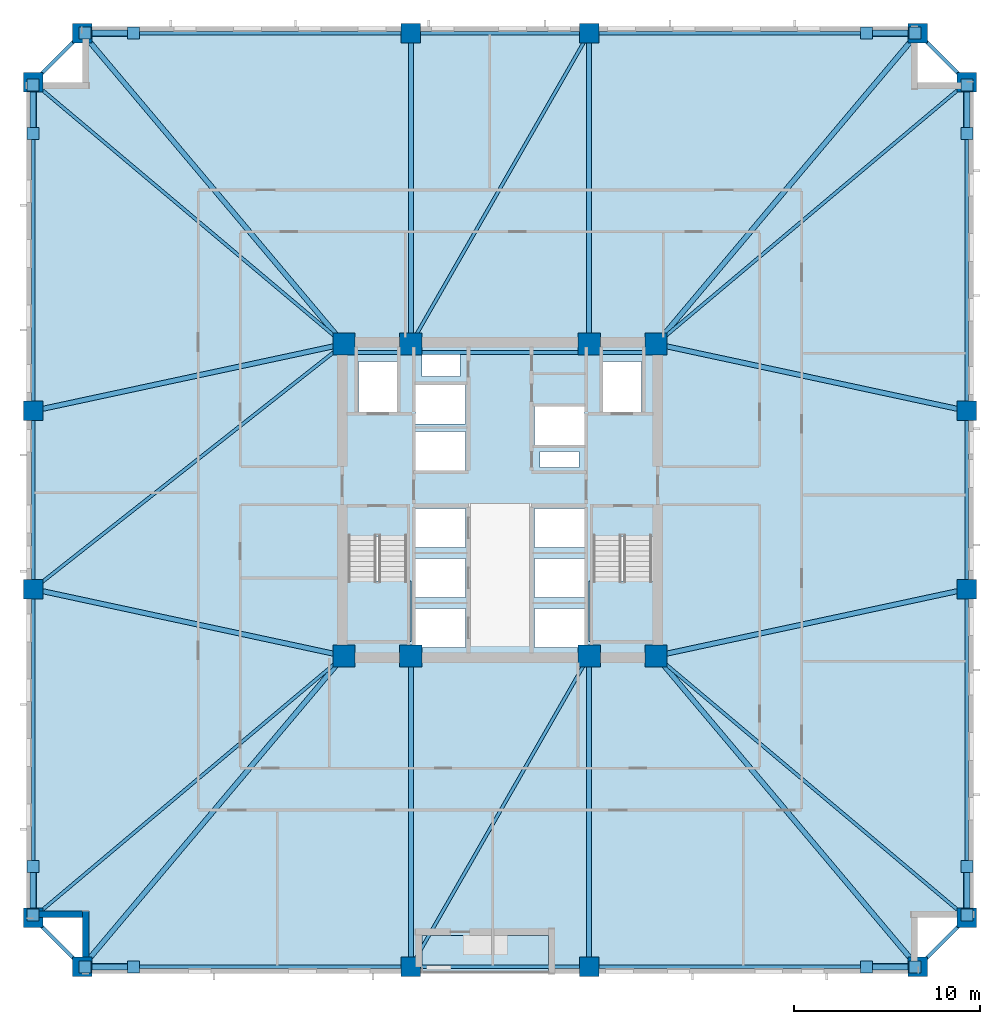
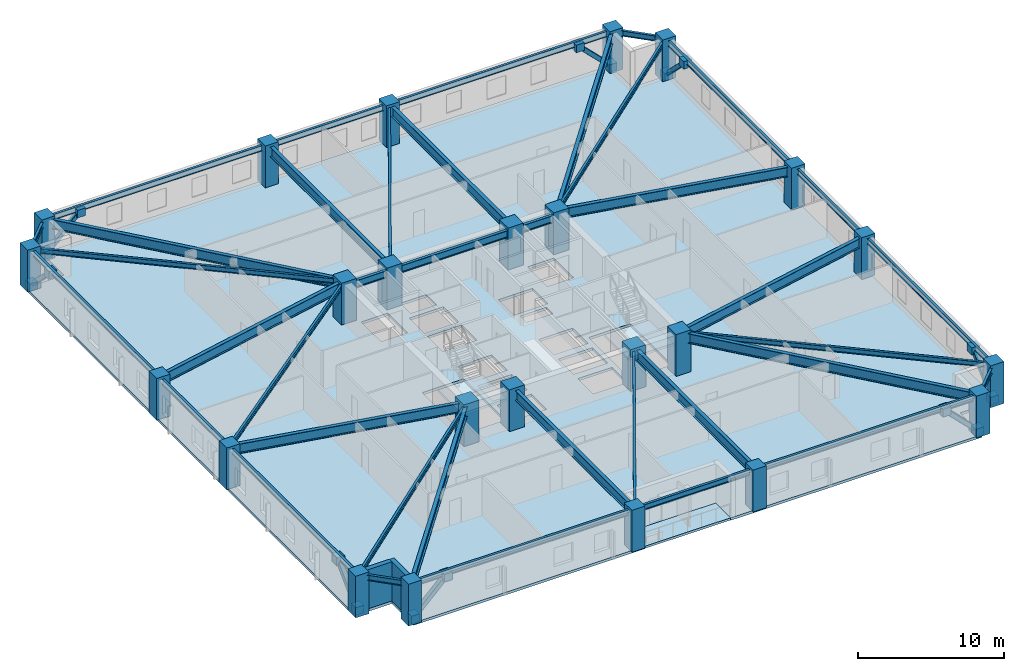
# One storey, part 1 of 11: 38 beams, 24 columns, 16 plates, 8 members, 4 slabs, 2 walls, 2 elements without a shape of their own.
"""IFC4 building model written with IfcOpenShell, lengths in metres."""

from ifc_helpers import new_model, si_unit, direction, frame, frame_2d, origin, origin_2d, place, context, subcontext, project, spatial, polyline, rectangle, hollow_rectangle, i_section, outline, extrude, material, layer, layer_set, material_profile, profile_set, type_object, element, aggregate, save


model = new_model("IFC4")

# Units and contexts
model_context = context("Model", 3, precision=1e-05, world=origin(), true_north=direction((0.0, 1.0)))
body_context = subcontext(model_context, "Body", "Model", "MODEL_VIEW")
ifc_project = project(units=[si_unit("LENGTHUNIT", "METRE"), si_unit("AREAUNIT", "SQUARE_METRE"), si_unit("VOLUMEUNIT", "CUBIC_METRE"), si_unit("PLANEANGLEUNIT", "RADIAN"), si_unit("MASSUNIT", "GRAM", prefix="KILO")], contexts=[model_context])

# Site, building, storey
site_placement = place(None, origin())
site = spatial("IfcSite", under=ifc_project, at=site_placement, CompositionType="ELEMENT")
building_placement = place(site_placement, origin())
building = spatial("IfcBuilding", under=site, at=building_placement, Name="Cairnveth Concourse Tower", CompositionType="ELEMENT")
storey_placement = place(building_placement, frame((0.0, 0.0, 34.0)))
storey = spatial("IfcBuildingStorey", under=building, at=storey_placement, Name="L08", CompositionType="ELEMENT", Elevation=34.0)

# Columns
ifc_material_1 = material(Name="Concrete N80 (80 MPa)", Category="concrete")
ifc_material_profile_1 = material_profile(ifc_material_1, rectangle(XDim=1.199951171875, YDim=1.199951171875, at=origin_2d()), Name="RC-COL-1200x1200")
ifc_profile_set_1 = profile_set([ifc_material_profile_1], Name="Concrete N80 (80 MPa)")
column_type_1 = type_object("IfcColumnType", Name="CORE COLUMN 1200X1200", PredefinedType="COLUMN", material=ifc_profile_set_1)
for number, where, z_axis, x_axis, name in (
    (1, (43.60009765625, 30.60009765625, 0.0), (0.0, 0.0, 1.0), (1.0, 0.0, 0.0), "Column CC1 L08"),
    (2, (47.199951171875, 30.60009765625, 0.0), (0.0, 0.0, 1.0), (1.0, 0.0, 0.0), "Column CC2 L08"),
    (3, (56.800048828125, 30.60009765625, 0.0), (0.0, 0.0, 1.0), (1.0, 0.0, 0.0), "Column CC3 L08"),
    (4, (60.39990234375, 30.60009765625, 0.0), (0.0, 0.0, 1.0), (1.0, 0.0, 0.0), "Column CC4 L08"),
    (5, (43.60009765625, 47.39990234375, 0.0), (0.0, 0.0, 1.0), (1.0, 0.0, 0.0), "Column CC5 L08"),
    (6, (47.199951171875, 47.39990234375, 0.0), (0.0, 0.0, 1.0), (1.0, 0.0, 0.0), "Column CC6 L08"),
    (7, (56.800048828125, 47.39990234375, 0.0), (0.0, 0.0, 1.0), (1.0, 0.0, 0.0), "Column CC7 L08"),
    (8, (60.39990234375, 47.39990234375, 0.0), (0.0, 0.0, 1.0), (1.0, 0.0, 0.0), "Column CC8 L08"),
):
    element("IfcColumn", number, at=place(storey_placement, frame(where, z_axis=z_axis, x_axis=x_axis)), inside=storey, type_object=column_type_1, Name=name, PredefinedType="COLUMN", context=body_context, shape_type="SweptSolid", body=[
        extrude(rectangle(XDim=1.199951171875, YDim=1.199951171875, at=origin_2d()), origin(), (0.0, 0.0, 1.0), 3.5),
    ])
ifc_material_2 = material(Name="Concrete N65 (65 MPa)", Category="concrete")
ifc_material_profile_2 = material_profile(ifc_material_2, rectangle(XDim=1.050048828125, YDim=1.050048828125, at=origin_2d()), Name="RC-COL-1050x1050")
ifc_profile_set_2 = profile_set([ifc_material_profile_2], Name="Concrete N65 (65 MPa)")
column_type_2 = type_object("IfcColumnType", Name="PERIMETER PIER COLUMN 1050X1050", PredefinedType="COLUMN", material=ifc_profile_set_2)
for number, where, z_axis, x_axis, name in (
    (9, (29.5, 13.85009765625, 0.0), (0.0, 0.0, 1.0), (1.0, 0.0, 0.0), "Column P-S1 L08"),
    (10, (47.199951171875, 13.85009765625, 0.0), (0.0, 0.0, 1.0), (1.0, 0.0, 0.0), "Column P-S2 L08"),
    (11, (56.800048828125, 13.85009765625, 0.0), (0.0, 0.0, 1.0), (1.0, 0.0, 0.0), "Column P-S3 L08"),
    (12, (74.5, 13.85009765625, 0.0), (0.0, 0.0, 1.0), (1.0, 0.0, 0.0), "Column P-S4 L08"),
    (13, (77.14990234375, 16.5, 0.0), (0.0, 0.0, 1.0), (0.0, 1.0, 0.0), "Column P-E1 L08"),
    (14, (77.14990234375, 34.199951171875, 0.0), (0.0, 0.0, 1.0), (0.0, 1.0, 0.0), "Column P-E2 L08"),
    (15, (77.14990234375, 43.800048828125, 0.0), (0.0, 0.0, 1.0), (0.0, 1.0, 0.0), "Column P-E3 L08"),
    (16, (77.14990234375, 61.5, 0.0), (0.0, 0.0, 1.0), (0.0, 1.0, 0.0), "Column P-E4 L08"),
    (17, (74.5, 64.14990234375, 0.0), (0.0, 0.0, 1.0), (1.0, 0.0, 0.0), "Column P-N1 L08"),
    (18, (56.800048828125, 64.14990234375, 0.0), (0.0, 0.0, 1.0), (1.0, 0.0, 0.0), "Column P-N2 L08"),
    (19, (47.199951171875, 64.14990234375, 0.0), (0.0, 0.0, 1.0), (1.0, 0.0, 0.0), "Column P-N3 L08"),
    (20, (29.5, 64.14990234375, 0.0), (0.0, 0.0, 1.0), (1.0, 0.0, 0.0), "Column P-N4 L08"),
    (21, (26.85009765625, 61.5, 0.0), (0.0, 0.0, 1.0), (0.0, 1.0, 0.0), "Column P-W1 L08"),
    (22, (26.85009765625, 43.800048828125, 0.0), (0.0, 0.0, 1.0), (0.0, 1.0, 0.0), "Column P-W2 L08"),
    (23, (26.85009765625, 34.199951171875, 0.0), (0.0, 0.0, 1.0), (0.0, 1.0, 0.0), "Column P-W3 L08"),
    (24, (26.85009765625, 16.5, 0.0), (0.0, 0.0, 1.0), (0.0, 1.0, 0.0), "Column P-W4 L08"),
):
    element("IfcColumn", number, at=place(storey_placement, frame(where, z_axis=z_axis, x_axis=x_axis)), inside=storey, type_object=column_type_2, Name=name, PredefinedType="COLUMN", context=body_context, shape_type="SweptSolid", body=[
        extrude(rectangle(XDim=1.050048828125, YDim=1.050048828125, at=origin_2d()), origin(), (0.0, 0.0, 1.0), 3.5),
    ])

# Beams
ifc_material_3 = material(Name="Steel Grade 350", Category="steel")
ifc_material_profile_3 = material_profile(ifc_material_3, i_section(OverallWidth=0.22802734375, OverallDepth=0.60693359375, WebThickness=0.01123046875, FlangeThickness=0.017333984375, FilletRadius=0.013916015625, at=origin_2d()), Name="610UB113")
ifc_profile_set_3 = profile_set([ifc_material_profile_3], Name="Steel Grade 350")
beam_type_1 = type_object("IfcBeamType", Name="CORE TIE BEAM 610UB113", PredefinedType="T_BEAM", material=ifc_profile_set_3)
for number, where, z_axis, x_axis, name in (
    (25, (43.60009765625, 46.949951171875, 2.9765625), (1.0, 0.0, 0.0), (0.0, 1.0, 0.0), "Beam CT-N1 L08"),
    (26, (56.800048828125, 46.949951171875, 2.9765625), (1.0, 0.0, 0.0), (0.0, 1.0, 0.0), "Beam CT-N3 L08"),
):
    element("IfcBeam", number, at=place(storey_placement, frame(where, z_axis=z_axis, x_axis=x_axis)), inside=storey, type_object=beam_type_1, Name=name, PredefinedType="T_BEAM", context=body_context, shape_type="SweptSolid", body=[
        extrude(i_section(OverallWidth=0.22802734375, OverallDepth=0.60693359375, WebThickness=0.01123046875, FlangeThickness=0.017333984375, FilletRadius=0.013916015625, at=origin_2d()), origin(), (0.0, 0.0, 1.0), 3.599853515625),
    ])
beam_1_placement = place(storey_placement, frame((47.199951171875, 46.949951171875, 2.9765625), z_axis=(1.0, 0.0, 0.0), x_axis=(0.0, 1.0, 0.0)))
element("IfcBeam", 27, at=beam_1_placement, inside=storey, type_object=beam_type_1, Name="Beam CT-N2 L08", PredefinedType="T_BEAM", context=body_context, shape_type="SweptSolid", body=[
    extrude(i_section(OverallWidth=0.22802734375, OverallDepth=0.60693359375, WebThickness=0.01123046875, FlangeThickness=0.017333984375, FilletRadius=0.013916015625, at=origin_2d()), origin(), (0.0, 0.0, 1.0), 9.60009765625),
])
ifc_material_profile_4 = material_profile(ifc_material_3, i_section(OverallWidth=0.177978515625, OverallDepth=0.406005859375, WebThickness=0.0078125, FlangeThickness=0.0126953125, FilletRadius=0.010986328125, at=origin_2d()), Name="410UB59.7")
ifc_profile_set_4 = profile_set([ifc_material_profile_4], Name="Steel Grade 350")
beam_type_2 = type_object("IfcBeamType", Name="ZONE 1 FLOOR JOIST 410UB59.7", PredefinedType="JOIST", material=ifc_profile_set_4)
for number, where, z_axis, x_axis, name in (
    (28, (26.85009765625, 16.5, 3.076904296875), (0.765027427674, 0.643997697905, 0.0), (-0.643997697905, 0.765027427674, 0.0), "Beam FJ-CSW2 L08"),
    (29, (77.14990234375, 16.5, 3.076904296875), (-0.765027427674, 0.643997697905, 0.0), (-0.643997697905, -0.765027427674, 0.0), "Beam FJ-CSE2 L08"),
    (30, (77.14990234375, 61.5, 3.076904296875), (-0.765027427674, -0.643997697905, 0.0), (0.643997697905, -0.765027427674, 0.0), "Beam FJ-CNE2 L08"),
    (31, (26.85009765625, 61.5, 3.076904296875), (0.765027427674, -0.643997697905, 0.0), (0.643997697905, 0.765027427674, 0.0), "Beam FJ-CNW2 L08"),
):
    element("IfcBeam", number, at=place(storey_placement, frame(where, z_axis=z_axis, x_axis=x_axis)), inside=storey, type_object=beam_type_2, Name=name, PredefinedType="JOIST", context=body_context, shape_type="SweptSolid", body=[
        extrude(i_section(OverallWidth=0.177978515625, OverallDepth=0.406005859375, WebThickness=0.0078125, FlangeThickness=0.0126953125, FilletRadius=0.010986328125, at=origin_2d()), origin(), (0.0, 0.0, 1.0), 21.89453125),
    ])
for number, where, z_axis, x_axis, name in (
    (32, (47.199951171875, 13.85009765625, 3.076904296875), (0.497257970706, 0.86760273776, 0.0), (-0.86760273776, 0.497257970706, 0.0), "Beam FJ-S-M1 L08"),
    (33, (47.199951171875, 47.39990234375, 3.076904296875), (0.497257970706, 0.86760273776, 0.0), (-0.86760273776, 0.497257970706, 0.0), "Beam FJ-N-M1 L08"),
):
    element("IfcBeam", number, at=place(storey_placement, frame(where, z_axis=z_axis, x_axis=x_axis)), inside=storey, type_object=beam_type_2, Name=name, PredefinedType="JOIST", context=body_context, shape_type="SweptSolid", body=[
        extrude(i_section(OverallWidth=0.177978515625, OverallDepth=0.406005859375, WebThickness=0.0078125, FlangeThickness=0.0126953125, FilletRadius=0.010986328125, at=origin_2d()), origin(), (0.0, 0.0, 1.0), 19.30615234375),
    ])
beam_2_placement = place(storey_placement, frame((26.85009765625, 34.199951171875, 3.076904296875), z_axis=(0.785423705995, 0.618958481694, 0.0), x_axis=(-0.618958481694, 0.785423705995, 0.0)))
element("IfcBeam", 34, at=beam_2_placement, inside=storey, type_object=beam_type_2, Name="Beam FJ-W-M1 L08", PredefinedType="JOIST", context=body_context, shape_type="SweptSolid", body=[
    extrude(i_section(OverallWidth=0.177978515625, OverallDepth=0.406005859375, WebThickness=0.0078125, FlangeThickness=0.0126953125, FilletRadius=0.010986328125, at=origin_2d()), origin(), (0.0, 0.0, 1.0), 21.326171875),
])

# Members
ifc_material_4 = material(Name="Steel C350L0 (350 MPa)", Category="steel")
ifc_material_profile_5 = material_profile(ifc_material_4, hollow_rectangle(XDim=0.35009765625, YDim=0.35009765625, WallThickness=0.01611328125, InnerFilletRadius=0.01611328125, OuterFilletRadius=0.031982421875, at=origin_2d()), Name="350x350x16.0SHS")
ifc_profile_set_5 = profile_set([ifc_material_profile_5], Name="Steel C350L0 (350 MPa)")
member_type = type_object("IfcMemberType", Name="ZONE 1 PIER BRACE 350X350X16SHS", PredefinedType="BRACE", material=ifc_profile_set_5)
for number, where, z_axis, x_axis, name in (
    (35, (29.64990234375, 13.85009765625, 0.25), (0.709834195787, 0.0, 0.704368805735), (0.0, 1.0, 0.0), "Structural Brace PB-S1 L08"),
    (36, (74.35009765625, 13.85009765625, 0.25), (-0.709834195787, 0.0, 0.704368805735), (0.0, -1.0, 0.0), "Structural Brace PB-S2 L08"),
    (37, (29.64990234375, 64.14990234375, 0.25), (0.709834195787, 0.0, 0.704368805735), (0.0, 1.0, 0.0), "Structural Brace PB-N1 L08"),
    (38, (74.35009765625, 64.14990234375, 0.25), (-0.709834195787, 0.0, 0.704368805735), (0.0, -1.0, 0.0), "Structural Brace PB-N2 L08"),
    (39, (26.85009765625, 16.64990234375, 0.25), (0.0, 0.709834195787, 0.704368805735), (-1.0, 0.0, 0.0), "Structural Brace PB-W1 L08"),
    (40, (26.85009765625, 61.35009765625, 0.25), (0.0, -0.709834195787, 0.704368805735), (1.0, 0.0, 0.0), "Structural Brace PB-W2 L08"),
    (41, (77.14990234375, 16.64990234375, 0.25), (0.0, 0.709834195787, 0.704368805735), (-1.0, 0.0, 0.0), "Structural Brace PB-E1 L08"),
    (42, (77.14990234375, 61.35009765625, 0.25), (0.0, -0.709834195787, 0.704368805735), (1.0, 0.0, 0.0), "Structural Brace PB-E2 L08"),
):
    element("IfcMember", number, at=place(storey_placement, frame(where, z_axis=z_axis, x_axis=x_axis)), inside=storey, type_object=member_type, Name=name, PredefinedType="BRACE", context=body_context, shape_type="SweptSolid", body=[
        extrude(hollow_rectangle(XDim=0.35009765625, YDim=0.35009765625, WallThickness=0.01611328125, InnerFilletRadius=0.01611328125, OuterFilletRadius=0.031982421875, at=origin_2d()), origin(), (0.0, 0.0, 1.0), 3.6630859375),
    ])

# Beams
ifc_material_profile_6 = material_profile(ifc_material_3, i_section(OverallWidth=0.27490234375, OverallDepth=0.81591796875, WebThickness=0.011962890625, FlangeThickness=0.028076171875, at=origin_2d()), Name="800WB192")
ifc_profile_set_6 = profile_set([ifc_material_profile_6], Name="Steel Grade 350")
beam_type_3 = type_object("IfcBeamType", Name="ZONE 1 RADIAL GIRDER 800WB192", PredefinedType="BEAM", material=ifc_profile_set_6)
for number, where, z_axis, x_axis, name in (
    (43, (47.199951171875, 13.85009765625, 2.8720703125), (0.0, 1.0, 0.0), (-1.0, 0.0, 0.0), "Beam RG-S1 L08"),
    (44, (56.800048828125, 13.85009765625, 2.8720703125), (0.0, 1.0, 0.0), (-1.0, 0.0, 0.0), "Beam RG-S2 L08"),
    (45, (47.199951171875, 47.39990234375, 2.8720703125), (0.0, 1.0, 0.0), (-1.0, 0.0, 0.0), "Beam RG-N1 L08"),
    (46, (56.800048828125, 47.39990234375, 2.8720703125), (0.0, 1.0, 0.0), (-1.0, 0.0, 0.0), "Beam RG-N2 L08"),
):
    element("IfcBeam", number, at=place(storey_placement, frame(where, z_axis=z_axis, x_axis=x_axis)), inside=storey, type_object=beam_type_3, Name=name, PredefinedType="BEAM", context=body_context, shape_type="SweptSolid", body=[
        extrude(i_section(OverallWidth=0.27490234375, OverallDepth=0.81591796875, WebThickness=0.011962890625, FlangeThickness=0.028076171875, at=origin_2d()), origin(), (0.0, 0.0, 1.0), 16.75),
    ])
for number, where, z_axis, x_axis, name in (
    (47, (26.85009765625, 34.199951171875, 2.8720703125), (0.977675861524, -0.210118799239, 0.0), (0.210118799239, 0.977675861524, 0.0), "Beam RG-W1 L08"),
    (48, (26.85009765625, 43.800048828125, 2.8720703125), (0.977675861524, 0.210118799239, 0.0), (-0.210118799239, 0.977675861524, 0.0), "Beam RG-W2 L08"),
    (49, (60.39990234375, 30.60009765625, 2.8720703125), (0.977675861524, 0.210118799239, 0.0), (-0.210118799239, 0.977675861524, 0.0), "Beam RG-E1 L08"),
    (50, (60.39990234375, 47.39990234375, 2.8720703125), (0.977675861524, -0.210118799239, 0.0), (0.210118799239, 0.977675861524, 0.0), "Beam RG-E2 L08"),
):
    element("IfcBeam", number, at=place(storey_placement, frame(where, z_axis=z_axis, x_axis=x_axis)), inside=storey, type_object=beam_type_3, Name=name, PredefinedType="BEAM", context=body_context, shape_type="SweptSolid", body=[
        extrude(i_section(OverallWidth=0.27490234375, OverallDepth=0.81591796875, WebThickness=0.011962890625, FlangeThickness=0.028076171875, at=origin_2d()), origin(), (0.0, 0.0, 1.0), 17.132568359375),
    ])
for number, where, z_axis, x_axis, name in (
    (51, (29.5, 13.85009765625, 2.8720703125), (0.643997697905, 0.765027427674, 0.0), (-0.765027427674, 0.643997697905, 0.0), "Beam RG-CSW L08"),
    (52, (74.5, 13.85009765625, 2.8720703125), (-0.643997697905, 0.765027427674, 0.0), (-0.765027427674, -0.643997697905, 0.0), "Beam RG-CSE L08"),
    (53, (74.5, 64.14990234375, 2.8720703125), (-0.643997697905, -0.765027427674, 0.0), (0.765027427674, -0.643997697905, 0.0), "Beam RG-CNE L08"),
    (54, (29.5, 64.14990234375, 2.8720703125), (0.643997697905, -0.765027427674, 0.0), (0.765027427674, 0.643997697905, 0.0), "Beam RG-CNW L08"),
):
    element("IfcBeam", number, at=place(storey_placement, frame(where, z_axis=z_axis, x_axis=x_axis)), inside=storey, type_object=beam_type_3, Name=name, PredefinedType="BEAM", context=body_context, shape_type="SweptSolid", body=[
        extrude(i_section(OverallWidth=0.27490234375, OverallDepth=0.81591796875, WebThickness=0.011962890625, FlangeThickness=0.028076171875, at=origin_2d()), origin(), (0.0, 0.0, 1.0), 21.89453125),
    ])
ifc_material_profile_7 = material_profile(ifc_material_3, i_section(OverallWidth=0.19091796875, OverallDepth=0.4599609375, WebThickness=0.010009765625, FlangeThickness=0.01611328125, FilletRadius=0.010986328125, at=origin_2d()), Name="460UB82.1")
ifc_profile_set_7 = profile_set([ifc_material_profile_7], Name="Steel Grade 350")
beam_type_4 = type_object("IfcBeamType", Name="ZONE 1 SPANDREL BEAM 460UB82.1", PredefinedType="SPANDREL", material=ifc_profile_set_7)
beam_3_placement = place(storey_placement, frame((29.5, 13.85009765625, 3.050048828125), z_axis=(1.0, 0.0, 0.0), x_axis=(0.0, 1.0, 0.0)))
element("IfcBeam", 55, at=beam_3_placement, inside=storey, type_object=beam_type_4, Name="Beam SP-S1 L08", PredefinedType="SPANDREL", context=body_context, shape_type="SweptSolid", body=[
    extrude(i_section(OverallWidth=0.19091796875, OverallDepth=0.4599609375, WebThickness=0.010009765625, FlangeThickness=0.01611328125, FilletRadius=0.010986328125, at=origin_2d()), origin(), (0.0, 0.0, 1.0), 17.699951171875),
])
beam_4_placement = place(storey_placement, frame((47.199951171875, 13.85009765625, 3.050048828125), z_axis=(1.0, 0.0, 0.0), x_axis=(0.0, 1.0, 0.0)))
element("IfcBeam", 56, at=beam_4_placement, inside=storey, type_object=beam_type_4, Name="Beam SP-S2 L08", PredefinedType="SPANDREL", context=body_context, shape_type="SweptSolid", body=[
    extrude(i_section(OverallWidth=0.19091796875, OverallDepth=0.4599609375, WebThickness=0.010009765625, FlangeThickness=0.01611328125, FilletRadius=0.010986328125, at=origin_2d()), origin(), (0.0, 0.0, 1.0), 9.60009765625),
])
for number, where, z_axis, x_axis, name in (
    (57, (56.800048828125, 13.85009765625, 3.050048828125), (1.0, 0.0, 0.0), (0.0, 1.0, 0.0), "Beam SP-S3 L08"),
    (58, (29.5, 64.14990234375, 3.050048828125), (1.0, 0.0, 0.0), (0.0, 1.0, 0.0), "Beam SP-N1 L08"),
):
    element("IfcBeam", number, at=place(storey_placement, frame(where, z_axis=z_axis, x_axis=x_axis)), inside=storey, type_object=beam_type_4, Name=name, PredefinedType="SPANDREL", context=body_context, shape_type="SweptSolid", body=[
        extrude(i_section(OverallWidth=0.19091796875, OverallDepth=0.4599609375, WebThickness=0.010009765625, FlangeThickness=0.01611328125, FilletRadius=0.010986328125, at=origin_2d()), origin(), (0.0, 0.0, 1.0), 17.699951171875),
    ])
beam_5_placement = place(storey_placement, frame((47.199951171875, 64.14990234375, 3.050048828125), z_axis=(1.0, 0.0, 0.0), x_axis=(0.0, 1.0, 0.0)))
element("IfcBeam", 59, at=beam_5_placement, inside=storey, type_object=beam_type_4, Name="Beam SP-N2 L08", PredefinedType="SPANDREL", context=body_context, shape_type="SweptSolid", body=[
    extrude(i_section(OverallWidth=0.19091796875, OverallDepth=0.4599609375, WebThickness=0.010009765625, FlangeThickness=0.01611328125, FilletRadius=0.010986328125, at=origin_2d()), origin(), (0.0, 0.0, 1.0), 9.60009765625),
])
for number, where, z_axis, x_axis, name in (
    (60, (56.800048828125, 64.14990234375, 3.050048828125), (1.0, 0.0, 0.0), (0.0, 1.0, 0.0), "Beam SP-N3 L08"),
    (61, (26.85009765625, 16.5, 3.050048828125), (0.0, 1.0, 0.0), (-1.0, 0.0, 0.0), "Beam SP-W1 L08"),
):
    element("IfcBeam", number, at=place(storey_placement, frame(where, z_axis=z_axis, x_axis=x_axis)), inside=storey, type_object=beam_type_4, Name=name, PredefinedType="SPANDREL", context=body_context, shape_type="SweptSolid", body=[
        extrude(i_section(OverallWidth=0.19091796875, OverallDepth=0.4599609375, WebThickness=0.010009765625, FlangeThickness=0.01611328125, FilletRadius=0.010986328125, at=origin_2d()), origin(), (0.0, 0.0, 1.0), 17.699951171875),
    ])
beam_6_placement = place(storey_placement, frame((26.85009765625, 34.199951171875, 3.050048828125), z_axis=(0.0, 1.0, 0.0), x_axis=(-1.0, 0.0, 0.0)))
element("IfcBeam", 62, at=beam_6_placement, inside=storey, type_object=beam_type_4, Name="Beam SP-W2 L08", PredefinedType="SPANDREL", context=body_context, shape_type="SweptSolid", body=[
    extrude(i_section(OverallWidth=0.19091796875, OverallDepth=0.4599609375, WebThickness=0.010009765625, FlangeThickness=0.01611328125, FilletRadius=0.010986328125, at=origin_2d()), origin(), (0.0, 0.0, 1.0), 9.60009765625),
])
for number, where, z_axis, x_axis, name in (
    (63, (26.85009765625, 43.800048828125, 3.050048828125), (0.0, 1.0, 0.0), (-1.0, 0.0, 0.0), "Beam SP-W3 L08"),
    (64, (77.14990234375, 16.5, 3.050048828125), (0.0, 1.0, 0.0), (-1.0, 0.0, 0.0), "Beam SP-E1 L08"),
):
    element("IfcBeam", number, at=place(storey_placement, frame(where, z_axis=z_axis, x_axis=x_axis)), inside=storey, type_object=beam_type_4, Name=name, PredefinedType="SPANDREL", context=body_context, shape_type="SweptSolid", body=[
        extrude(i_section(OverallWidth=0.19091796875, OverallDepth=0.4599609375, WebThickness=0.010009765625, FlangeThickness=0.01611328125, FilletRadius=0.010986328125, at=origin_2d()), origin(), (0.0, 0.0, 1.0), 17.699951171875),
    ])
beam_7_placement = place(storey_placement, frame((77.14990234375, 34.199951171875, 3.050048828125), z_axis=(0.0, 1.0, 0.0), x_axis=(-1.0, 0.0, 0.0)))
element("IfcBeam", 65, at=beam_7_placement, inside=storey, type_object=beam_type_4, Name="Beam SP-E2 L08", PredefinedType="SPANDREL", context=body_context, shape_type="SweptSolid", body=[
    extrude(i_section(OverallWidth=0.19091796875, OverallDepth=0.4599609375, WebThickness=0.010009765625, FlangeThickness=0.01611328125, FilletRadius=0.010986328125, at=origin_2d()), origin(), (0.0, 0.0, 1.0), 9.60009765625),
])
beam_8_placement = place(storey_placement, frame((77.14990234375, 43.800048828125, 3.050048828125), z_axis=(0.0, 1.0, 0.0), x_axis=(-1.0, 0.0, 0.0)))
element("IfcBeam", 66, at=beam_8_placement, inside=storey, type_object=beam_type_4, Name="Beam SP-E3 L08", PredefinedType="SPANDREL", context=body_context, shape_type="SweptSolid", body=[
    extrude(i_section(OverallWidth=0.19091796875, OverallDepth=0.4599609375, WebThickness=0.010009765625, FlangeThickness=0.01611328125, FilletRadius=0.010986328125, at=origin_2d()), origin(), (0.0, 0.0, 1.0), 17.699951171875),
])
for number, where, z_axis, x_axis, name in (
    (67, (26.85009765625, 16.5, 3.050048828125), (0.707106781187, -0.707106781187, 0.0), (0.707106781187, 0.707106781187, 0.0), "Beam SP-SW L08"),
    (68, (74.5, 13.85009765625, 3.050048828125), (0.707106781187, 0.707106781187, 0.0), (-0.707106781187, 0.707106781187, 0.0), "Beam SP-SE L08"),
    (69, (74.5, 64.14990234375, 3.050048828125), (0.707106781187, -0.707106781187, 0.0), (0.707106781187, 0.707106781187, 0.0), "Beam SP-NE L08"),
    (70, (26.85009765625, 61.5, 3.050048828125), (0.707106781187, 0.707106781187, 0.0), (-0.707106781187, 0.707106781187, 0.0), "Beam SP-NW L08"),
):
    element("IfcBeam", number, at=place(storey_placement, frame(where, z_axis=z_axis, x_axis=x_axis)), inside=storey, type_object=beam_type_4, Name=name, PredefinedType="SPANDREL", context=body_context, shape_type="SweptSolid", body=[
        extrude(i_section(OverallWidth=0.19091796875, OverallDepth=0.4599609375, WebThickness=0.010009765625, FlangeThickness=0.01611328125, FilletRadius=0.010986328125, at=origin_2d()), origin(), (0.0, 0.0, 1.0), 3.74755859375),
    ])

# Slab
ifc_material_5 = material(Name="Concrete N50 (50 MPa)", Category="concrete")
ifc_layer_1 = layer(ifc_material_5, 0.219970703125)
ifc_layer_set_1 = layer_set([ifc_layer_1], Name="Concrete N50 (50 MPa)")
slab_type_1 = type_object("IfcSlabType", Name="LOWER TOWER COMPOSITE SLAB 220", PredefinedType="FLOOR", material=ifc_layer_set_1)
slab_1_placement = place(storey_placement, frame((0.0, 0.0, -0.219970703125)))
element("IfcSlab", 71, at=slab_1_placement, inside=storey, type_object=slab_type_1, Name="Tower Floor Slab L08", PredefinedType="FLOOR", context=body_context, shape_type="SweptSolid", body=[
    extrude(outline(polyline([(47.800048828125, 13.5), (47.800048828125, 15.550048828125), (54.60009765625, 15.550048828125), (54.60009765625, 13.5), (74.5, 13.5), (74.5, 16.5), (77.5, 16.5), (77.5, 61.5), (74.5, 61.5), (74.5, 64.5), (29.5, 64.5), (29.5, 61.5), (26.5, 61.5), (26.5, 16.5), (29.5, 16.5), (29.5, 13.5), (47.800048828125, 13.5)]), holes=[polyline([(43.760009765625, 31.360107421875), (47.06005859375, 31.360107421875), (47.06005859375, 37.0400390625), (43.760009765625, 37.0400390625), (43.760009765625, 31.360107421875)]), polyline([(56.93994140625, 31.360107421875), (60.239990234375, 31.360107421875), (60.239990234375, 37.0400390625), (56.93994140625, 37.0400390625), (56.93994140625, 31.360107421875)]), polyline([(44.3701171875, 43.75), (46.469970703125, 43.75), (46.469970703125, 46.449951171875), (44.3701171875, 46.449951171875), (44.3701171875, 43.75)]), polyline([(57.530029296875, 43.75), (59.6298828125, 43.75), (59.6298828125, 46.449951171875), (57.530029296875, 46.449951171875), (57.530029296875, 43.75)]), polyline([(47.449951171875, 31.050048828125), (50.14990234375, 31.050048828125), (50.14990234375, 33.14990234375), (47.449951171875, 33.14990234375), (47.449951171875, 31.050048828125)]), polyline([(47.449951171875, 33.75), (50.14990234375, 33.75), (50.14990234375, 35.85009765625), (47.449951171875, 35.85009765625), (47.449951171875, 33.75)]), polyline([(47.449951171875, 36.449951171875), (50.14990234375, 36.449951171875), (50.14990234375, 38.550048828125), (47.449951171875, 38.550048828125), (47.449951171875, 36.449951171875)]), polyline([(53.85009765625, 31.050048828125), (56.550048828125, 31.050048828125), (56.550048828125, 33.14990234375), (53.85009765625, 33.14990234375), (53.85009765625, 31.050048828125)]), polyline([(53.85009765625, 33.75), (56.550048828125, 33.75), (56.550048828125, 35.85009765625), (53.85009765625, 35.85009765625), (53.85009765625, 33.75)]), polyline([(53.85009765625, 36.449951171875), (56.550048828125, 36.449951171875), (56.550048828125, 38.550048828125), (53.85009765625, 38.550048828125), (53.85009765625, 36.449951171875)]), polyline([(47.449951171875, 40.60009765625), (50.14990234375, 40.60009765625), (50.14990234375, 42.699951171875), (47.449951171875, 42.699951171875), (47.449951171875, 40.60009765625)]), polyline([(47.449951171875, 43.10009765625), (50.14990234375, 43.10009765625), (50.14990234375, 45.199951171875), (47.449951171875, 45.199951171875), (47.449951171875, 43.10009765625)]), polyline([(53.85009765625, 41.949951171875), (56.550048828125, 41.949951171875), (56.550048828125, 44.050048828125), (53.85009765625, 44.050048828125), (53.85009765625, 41.949951171875)]), polyline([(47.800048828125, 45.64990234375), (49.85009765625, 45.64990234375), (49.85009765625, 47.050048828125), (47.800048828125, 47.050048828125), (47.800048828125, 45.64990234375)]), polyline([(54.14990234375, 40.75), (56.25, 40.75), (56.25, 41.6201171875), (54.14990234375, 41.6201171875), (54.14990234375, 40.75)])]), origin(), (0.0, 0.0, 1.0), 0.219970703125),
])

# Plates
ifc_layer_2 = layer(ifc_material_3, 0.031982421875)
ifc_layer_set_2 = layer_set([ifc_layer_2], Name="Steel Grade 350")
plate_type = type_object("IfcPlateType", Name="PERIMETER BRACE GUSSET PLATE 32", PredefinedType="USERDEFINED", material=ifc_layer_set_2)
for number, where, z_axis, x_axis, name in (
    (72, (29.64990234375, 13.85009765625, -0.06982421875), (0.0, 0.0, 1.0), (1.0, 0.0, 0.0), "Structural Node Plate 0109 L08"),
    (73, (32.25, 13.85009765625, 2.51025390625), (0.0, 0.0, 1.0), (1.0, 0.0, 0.0), "Structural Node Plate 0110 L08"),
    (74, (74.35009765625, 13.85009765625, -0.06982421875), (0.0, 0.0, 1.0), (1.0, 0.0, 0.0), "Structural Node Plate 0111 L08"),
    (75, (71.75, 13.85009765625, 2.51025390625), (0.0, 0.0, 1.0), (1.0, 0.0, 0.0), "Structural Node Plate 0112 L08"),
    (76, (29.64990234375, 64.14990234375, -0.06982421875), (0.0, 0.0, 1.0), (1.0, 0.0, 0.0), "Structural Node Plate 0113 L08"),
    (77, (32.25, 64.14990234375, 2.51025390625), (0.0, 0.0, 1.0), (1.0, 0.0, 0.0), "Structural Node Plate 0114 L08"),
    (78, (74.35009765625, 64.14990234375, -0.06982421875), (0.0, 0.0, 1.0), (1.0, 0.0, 0.0), "Structural Node Plate 0115 L08"),
    (79, (71.75, 64.14990234375, 2.51025390625), (0.0, 0.0, 1.0), (1.0, 0.0, 0.0), "Structural Node Plate 0116 L08"),
    (80, (26.85009765625, 16.64990234375, -0.06982421875), (0.0, 0.0, 1.0), (1.0, 0.0, 0.0), "Structural Node Plate 0117 L08"),
    (81, (26.85009765625, 19.25, 2.51025390625), (0.0, 0.0, 1.0), (1.0, 0.0, 0.0), "Structural Node Plate 0118 L08"),
    (82, (26.85009765625, 61.35009765625, -0.06982421875), (0.0, 0.0, 1.0), (1.0, 0.0, 0.0), "Structural Node Plate 0119 L08"),
    (83, (26.85009765625, 58.75, 2.51025390625), (0.0, 0.0, 1.0), (1.0, 0.0, 0.0), "Structural Node Plate 0120 L08"),
    (84, (77.14990234375, 16.64990234375, -0.06982421875), (0.0, 0.0, 1.0), (1.0, 0.0, 0.0), "Structural Node Plate 0121 L08"),
    (85, (77.14990234375, 19.25, 2.51025390625), (0.0, 0.0, 1.0), (1.0, 0.0, 0.0), "Structural Node Plate 0122 L08"),
    (86, (77.14990234375, 61.35009765625, -0.06982421875), (0.0, 0.0, 1.0), (1.0, 0.0, 0.0), "Structural Node Plate 0123 L08"),
    (87, (77.14990234375, 58.75, 2.51025390625), (0.0, 0.0, 1.0), (1.0, 0.0, 0.0), "Structural Node Plate 0124 L08"),
):
    element("IfcPlate", number, at=place(storey_placement, frame(where, z_axis=z_axis, x_axis=x_axis)), inside=storey, type_object=plate_type, Name=name, ObjectType="GUSSET PLATE", PredefinedType="USERDEFINED", context=body_context, shape_type="SweptSolid", body=[
        extrude(rectangle(XDim=0.639892578125, YDim=0.639892578125, at=origin_2d()), origin(), (0.0, 0.0, 1.0), 0.639892578125),
    ])

# Slab
ifc_layer_3 = layer(ifc_material_5, 0.18994140625)
ifc_layer_set_3 = layer_set([ifc_layer_3], Name="Concrete N50 (50 MPa)")
slab_type_2 = type_object("IfcSlabType", Name="SPIRAL OUTDOOR TERRACE SLAB 190", PredefinedType="FLOOR", material=ifc_layer_set_3)
slab_2_placement = place(storey_placement, frame((0.0, 0.0, -0.18994140625)))
element("IfcSlab", 88, at=slab_2_placement, inside=storey, type_object=slab_type_2, Name="Spiral Terrace Slab L08", PredefinedType="FLOOR", context=body_context, shape_type="SweptSolid", body=[
    extrude(outline(polyline([(47.800048828125, 13.5), (54.60009765625, 13.5), (54.60009765625, 15.550048828125), (47.800048828125, 15.550048828125), (47.800048828125, 13.5)])), origin(), (0.0, 0.0, 1.0), 0.18994140625),
])

# Stair, slab
ifc_material_6 = material(Name="Precast concrete N50 (50 MPa)", Category="concrete")
stair_type = type_object("IfcStairType", Name="CORE DOG-LEG FIRE STAIR 1500", PredefinedType="HALF_TURN_STAIR", material=ifc_material_6)
stair_1_placement = place(storey_placement, origin())
stair_1 = element("IfcStair", 89, at=stair_1_placement, inside=storey, type_object=stair_type, Name="L08 Fire-Isolated Stair ST-1", PredefinedType="HALF_TURN_STAIR")
ifc_layer_4 = layer(ifc_material_5, 0.199951171875)
ifc_layer_set_4 = layer_set([ifc_layer_4], Name="Concrete N50 (50 MPa)")
slab_type_3 = type_object("IfcSlabType", Name="STAIR HALF LANDING SLAB 200", PredefinedType="LANDING", material=ifc_layer_set_4)
slab_3_placement = place(storey_placement, frame((0.0, 0.0, 1.550048828125)))
slab_3 = element("IfcSlab", 90, at=slab_3_placement, type_object=slab_type_3, Name="ST-1 landing 1", PredefinedType="LANDING", context=body_context, shape_type="SweptSolid", body=[
    extrude(outline(polyline([(43.6201171875, 34.639892578125), (43.6201171875, 31.3701171875), (47.199951171875, 31.3701171875), (47.199951171875, 34.639892578125), (43.6201171875, 34.639892578125)])), origin(), (0.0, 0.0, 1.0), 0.199951171875),
])
aggregate(stair_1, [slab_3])

stair_2_placement = place(storey_placement, origin())
stair_2 = element("IfcStair", 91, at=stair_2_placement, inside=storey, type_object=stair_type, Name="L08 Fire-Isolated Stair ST-2", PredefinedType="HALF_TURN_STAIR")
slab_4_placement = place(storey_placement, frame((0.0, 0.0, 1.550048828125)))
slab_4 = element("IfcSlab", 92, at=slab_4_placement, type_object=slab_type_3, Name="ST-2 landing 1", PredefinedType="LANDING", context=body_context, shape_type="SweptSolid", body=[
    extrude(outline(polyline([(56.800048828125, 34.639892578125), (56.800048828125, 31.3701171875), (60.3798828125, 31.3701171875), (60.3798828125, 34.639892578125), (56.800048828125, 34.639892578125)])), origin(), (0.0, 0.0, 1.0), 0.199951171875),
])
aggregate(stair_2, [slab_4])

# Walls
ifc_material_7 = material(Name="Hawthorn Red-Ochre Fired Clay Brick Masonry", Category="masonry")
ifc_layer_5 = layer(ifc_material_7, 0.360107421875)
ifc_layer_set_5 = layer_set([ifc_layer_5], Name="Hawthorn Red-Ochre Fired Clay Brick Masonry")
wall_type = type_object("IfcWallType", Name="ZONE 1 BRICK PIER SPANDREL WALL 360", PredefinedType="SOLIDWALL", material=ifc_layer_set_5)
wall_1_placement = place(storey_placement, frame((29.679931640625, 13.5, 0.0), z_axis=(0.0, 0.0, 1.0), x_axis=(0.0, 1.0, 0.0)))
element("IfcWall", 93, at=wall_1_placement, inside=storey, type_object=wall_type, Name="Exterior Wall EW-L08-S01", PredefinedType="SOLIDWALL", context=body_context, shape_type="SweptSolid", body=[
    extrude(rectangle(XDim=3.360107421875, YDim=0.360107421875, at=frame_2d((1.68017578125, 0.0))), origin(), (0.0, 0.0, 1.0), 3.280029296875),
])
wall_2_placement = place(storey_placement, frame((29.52197265625, 16.679931640625, 0.0), z_axis=(0.0, 0.0, 1.0), x_axis=(-1.0, 0.0, 0.0)))
element("IfcWall", 94, at=wall_2_placement, inside=storey, type_object=wall_type, Name="Exterior Wall EW-L08-S02", PredefinedType="SOLIDWALL", context=body_context, shape_type="SweptSolid", body=[
    extrude(rectangle(XDim=2.68408203125, YDim=0.360107421875, at=frame_2d((1.342041015625, 0.0))), origin(), (0.0, 0.0, 1.0), 3.280029296875),
])

save(model, "model.ifc")
